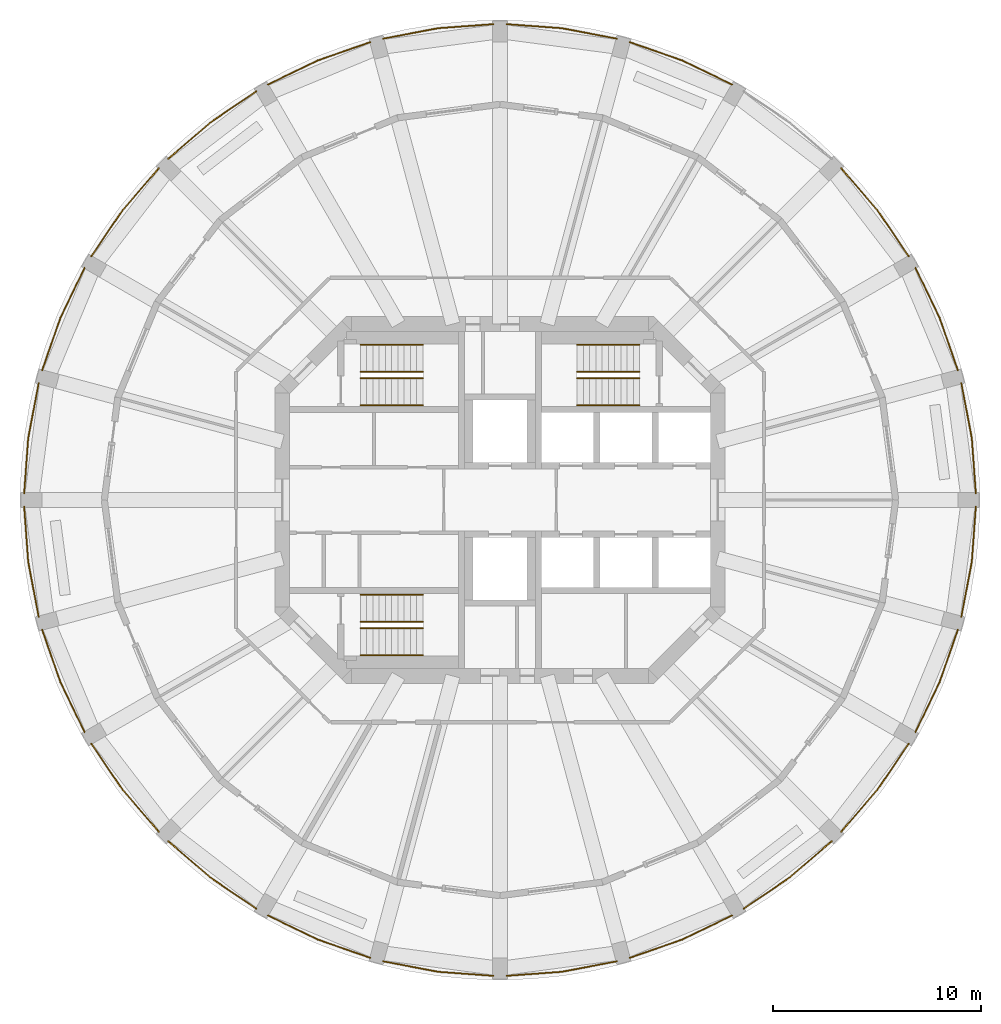
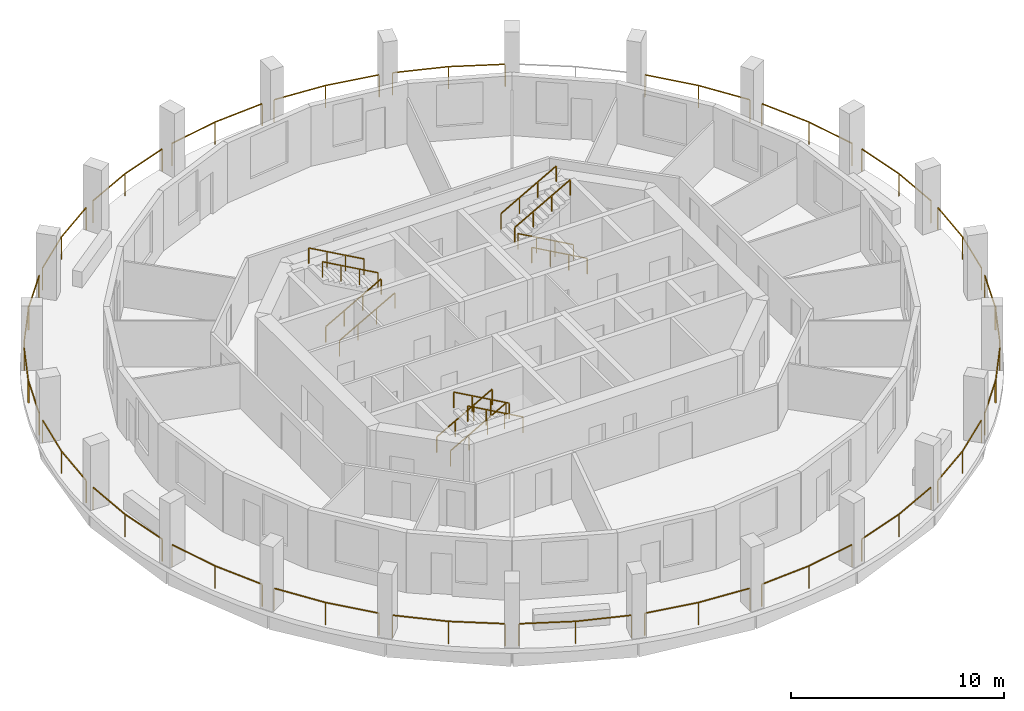
# One storey, part 8 of 9: 35 railings.
"""IFC4 building model written with IfcOpenShell, lengths in metres."""

from ifc_helpers import new_model, si_unit, direction, frame, origin, origin_2d, place, context, subcontext, project, spatial, rectangle, extrude, material, type_object, element, save


model = new_model("IFC4")

# Units and contexts
model_context = context("Model", 3, precision=1e-05, world=origin(), true_north=direction((0.0, 1.0)))
body_context = subcontext(model_context, "Body", "Model", "MODEL_VIEW")
ifc_project = project(units=[si_unit("LENGTHUNIT", "METRE"), si_unit("AREAUNIT", "SQUARE_METRE"), si_unit("VOLUMEUNIT", "CUBIC_METRE"), si_unit("PLANEANGLEUNIT", "RADIAN"), si_unit("MASSUNIT", "GRAM", prefix="KILO")], contexts=[model_context])

# Site, building, storey
site_placement = place(None, origin())
site = spatial("IfcSite", under=ifc_project, at=site_placement, CompositionType="ELEMENT")
building_placement = place(site_placement, origin())
building = spatial("IfcBuilding", under=site, at=building_placement, Name="Torre Triforio", CompositionType="ELEMENT")
storey_placement = place(building_placement, frame((0.0, 0.0, 157.89990234375)))
storey = spatial("IfcBuildingStorey", under=building, at=storey_placement, Name="L35", CompositionType="ELEMENT", Elevation=157.89990234375)

# Railings
ifc_material = material(Name="Stainless steel AISI 316", Category="steel")
railing_type_1 = type_object("IfcRailingType", Name="HANDRAIL 920", PredefinedType="HANDRAIL", material=ifc_material)
for number, where, name in (
    (1, (-6.699951171875, 4.550048828125, 0.168212890625), "Handrail ST1"),
    (2, (-6.699951171875, 5.85009765625, 0.168212890625), "Handrail ST1"),
):
    element("IfcRailing", number, at=place(storey_placement, frame(where)), inside=storey, type_object=railing_type_1, Name=name, PredefinedType="HANDRAIL", context=body_context, shape_type="SweptSolid", body=[
        extrude(rectangle(XDim=0.048095703125, YDim=0.048095703125, at=origin_2d()), frame((0.0, 0.0, 0.89599609375), z_axis=(0.872272294576, 0.0, 0.489020494575), x_axis=(0.0, 1.0, 0.0)), (0.0, 0.0, 1.0), 3.439208984375),
        extrude(rectangle(XDim=0.0419921875, YDim=0.0419921875, at=origin_2d()), origin(), (0.0, 0.0, 1.0), 0.871826171875),
        extrude(rectangle(XDim=0.0419921875, YDim=0.0419921875, at=origin_2d()), frame((1.0, 0.0, 0.560546875)), (0.0, 0.0, 1.0), 0.871826171875),
        extrude(rectangle(XDim=0.0419921875, YDim=0.0419921875, at=origin_2d()), frame((2.0, 0.0, 1.121337890625)), (0.0, 0.0, 1.0), 0.871826171875),
        extrude(rectangle(XDim=0.0419921875, YDim=0.0419921875, at=origin_2d()), frame((3.0, 0.0, 1.681884765625)), (0.0, 0.0, 1.0), 0.871826171875),
    ])
for number, where, name in (
    (3, (-3.699951171875, 7.449951171875, 2.018310546875), "Handrail ST1"),
    (4, (-3.699951171875, 6.14990234375, 2.018310546875), "Handrail ST1"),
    (5, (6.699951171875, 4.550048828125, 0.168212890625), "Handrail ST2"),
    (6, (6.699951171875, 5.85009765625, 0.168212890625), "Handrail ST2"),
):
    element("IfcRailing", number, at=place(storey_placement, frame(where)), inside=storey, type_object=railing_type_1, Name=name, PredefinedType="HANDRAIL", context=body_context, shape_type="SweptSolid", body=[
        extrude(rectangle(XDim=0.048095703125, YDim=0.048095703125, at=origin_2d()), frame((0.0, 0.0, 0.89599609375), z_axis=(-0.872272294576, 0.0, 0.489020494575), x_axis=(0.0, -1.0, 0.0)), (0.0, 0.0, 1.0), 3.439208984375),
        extrude(rectangle(XDim=0.0419921875, YDim=0.0419921875, at=origin_2d()), origin(), (0.0, 0.0, 1.0), 0.871826171875),
        extrude(rectangle(XDim=0.0419921875, YDim=0.0419921875, at=origin_2d()), frame((-1.0, 0.0, 0.560546875)), (0.0, 0.0, 1.0), 0.871826171875),
        extrude(rectangle(XDim=0.0419921875, YDim=0.0419921875, at=origin_2d()), frame((-2.0, 0.0, 1.121337890625)), (0.0, 0.0, 1.0), 0.871826171875),
        extrude(rectangle(XDim=0.0419921875, YDim=0.0419921875, at=origin_2d()), frame((-3.0, 0.0, 1.681884765625)), (0.0, 0.0, 1.0), 0.871826171875),
    ])
for number, where, name in (
    (7, (3.699951171875, 7.449951171875, 2.018310546875), "Handrail ST2"),
    (8, (3.699951171875, 6.14990234375, 2.018310546875), "Handrail ST2"),
    (9, (-6.699951171875, -4.550048828125, 0.168212890625), "Handrail ST3"),
    (10, (-6.699951171875, -5.85009765625, 0.168212890625), "Handrail ST3"),
):
    element("IfcRailing", number, at=place(storey_placement, frame(where)), inside=storey, type_object=railing_type_1, Name=name, PredefinedType="HANDRAIL", context=body_context, shape_type="SweptSolid", body=[
        extrude(rectangle(XDim=0.048095703125, YDim=0.048095703125, at=origin_2d()), frame((0.0, 0.0, 0.89599609375), z_axis=(0.872272294576, 0.0, 0.489020494575), x_axis=(0.0, 1.0, 0.0)), (0.0, 0.0, 1.0), 3.439208984375),
        extrude(rectangle(XDim=0.0419921875, YDim=0.0419921875, at=origin_2d()), origin(), (0.0, 0.0, 1.0), 0.871826171875),
        extrude(rectangle(XDim=0.0419921875, YDim=0.0419921875, at=origin_2d()), frame((1.0, 0.0, 0.560546875)), (0.0, 0.0, 1.0), 0.871826171875),
        extrude(rectangle(XDim=0.0419921875, YDim=0.0419921875, at=origin_2d()), frame((2.0, 0.0, 1.121337890625)), (0.0, 0.0, 1.0), 0.871826171875),
        extrude(rectangle(XDim=0.0419921875, YDim=0.0419921875, at=origin_2d()), frame((3.0, 0.0, 1.681884765625)), (0.0, 0.0, 1.0), 0.871826171875),
    ])
for number, where, name in (
    (11, (-3.699951171875, -7.449951171875, 2.018310546875), "Handrail ST3"),
    (12, (-3.699951171875, -6.14990234375, 2.018310546875), "Handrail ST3"),
):
    element("IfcRailing", number, at=place(storey_placement, frame(where)), inside=storey, type_object=railing_type_1, Name=name, PredefinedType="HANDRAIL", context=body_context, shape_type="SweptSolid", body=[
        extrude(rectangle(XDim=0.048095703125, YDim=0.048095703125, at=origin_2d()), frame((0.0, 0.0, 0.89599609375), z_axis=(-0.872272294576, 0.0, 0.489020494575), x_axis=(0.0, -1.0, 0.0)), (0.0, 0.0, 1.0), 3.439208984375),
        extrude(rectangle(XDim=0.0419921875, YDim=0.0419921875, at=origin_2d()), origin(), (0.0, 0.0, 1.0), 0.871826171875),
        extrude(rectangle(XDim=0.0419921875, YDim=0.0419921875, at=origin_2d()), frame((-1.0, 0.0, 0.560546875)), (0.0, 0.0, 1.0), 0.871826171875),
        extrude(rectangle(XDim=0.0419921875, YDim=0.0419921875, at=origin_2d()), frame((-2.0, 0.0, 1.121337890625)), (0.0, 0.0, 1.0), 0.871826171875),
        extrude(rectangle(XDim=0.0419921875, YDim=0.0419921875, at=origin_2d()), frame((-3.0, 0.0, 1.681884765625)), (0.0, 0.0, 1.0), 0.871826171875),
    ])
railing_type_2 = type_object("IfcRailingType", Name="Loggia guard 1300", PredefinedType="GUARDRAIL", material=ifc_material)
railing_1_placement = place(storey_placement, frame((22.85009765625, 0.320068359375, 0.0)))
element("IfcRailing", 13, at=railing_1_placement, inside=storey, type_object=railing_type_2, Name="Loggia guard L35 bay 01", PredefinedType="GUARDRAIL", context=body_context, shape_type="SweptSolid", body=[
    extrude(rectangle(XDim=0.050048828125, YDim=0.050048828125, at=origin_2d()), frame((0.0, 0.0, 1.27490234375), z_axis=(-0.073255194528, 0.997313228868, 0.0), x_axis=(-0.997313228868, -0.073255194528, 0.0)), (0.0, 0.0, 1.0), 2.66943359375),
    extrude(rectangle(XDim=0.050048828125, YDim=0.050048828125, at=origin_2d()), frame((-0.195556640625, 2.662353515625, 1.27490234375), z_axis=(-0.187368424401, 0.982289709575, 0.0), x_axis=(-0.982289709575, -0.187368424401, 0.0)), (0.0, 0.0, 1.0), 2.669921875),
    extrude(rectangle(XDim=0.0400390625, YDim=0.0400390625, at=origin_2d()), origin(), (0.0, 0.0, 1.0), 1.25),
    extrude(rectangle(XDim=0.0400390625, YDim=0.0400390625, at=origin_2d()), frame((-0.195556640625, 2.662353515625, 0.0)), (0.0, 0.0, 1.0), 1.25),
    extrude(rectangle(XDim=0.0400390625, YDim=0.0400390625, at=origin_2d()), frame((-0.69580078125, 5.284912109375, 0.0)), (0.0, 0.0, 1.0), 1.25),
])
railing_2_placement = place(storey_placement, frame((21.988525390625, 6.22314453125, 0.0)))
element("IfcRailing", 14, at=railing_2_placement, inside=storey, type_object=railing_type_2, Name="Loggia guard L35 bay 02", PredefinedType="GUARDRAIL", context=body_context, shape_type="SweptSolid", body=[
    extrude(rectangle(XDim=0.050048828125, YDim=0.050048828125, at=origin_2d()), frame((0.0, 0.0, 1.27490234375), z_axis=(-0.328846918852, 0.944383239984, 0.0), x_axis=(-0.944383239984, -0.328846918852, 0.0)), (0.0, 0.0, 1.0), 2.669677734375),
    extrude(rectangle(XDim=0.050048828125, YDim=0.050048828125, at=origin_2d()), frame((-0.8779296875, 2.521240234375, 1.27490234375), z_axis=(-0.435211903812, 0.900328050646, 0.0), x_axis=(-0.900328050646, -0.435211903812, 0.0)), (0.0, 0.0, 1.0), 2.669677734375),
    extrude(rectangle(XDim=0.0400390625, YDim=0.0400390625, at=origin_2d()), origin(), (0.0, 0.0, 1.0), 1.25),
    extrude(rectangle(XDim=0.0400390625, YDim=0.0400390625, at=origin_2d()), frame((-0.8779296875, 2.521240234375, 0.0)), (0.0, 0.0, 1.0), 1.25),
    extrude(rectangle(XDim=0.0400390625, YDim=0.0400390625, at=origin_2d()), frame((-2.039794921875, 4.9248046875, 0.0)), (0.0, 0.0, 1.0), 1.25),
])
railing_3_placement = place(storey_placement, frame((19.628662109375, 11.7021484375, 0.0)))
element("IfcRailing", 15, at=railing_3_placement, inside=storey, type_object=railing_type_2, Name="Loggia guard L35 bay 03", PredefinedType="GUARDRAIL", context=body_context, shape_type="SweptSolid", body=[
    extrude(rectangle(XDim=0.050048828125, YDim=0.050048828125, at=origin_2d()), frame((0.0, 0.0, 1.27490234375), z_axis=(-0.562064856935, 0.827093160774, 0.0), x_axis=(-0.827093160774, -0.562064856935, 0.0)), (0.0, 0.0, 1.0), 2.669677734375),
    extrude(rectangle(XDim=0.050048828125, YDim=0.050048828125, at=origin_2d()), frame((-1.50048828125, 2.2080078125, 1.27490234375), z_axis=(-0.653400799038, 0.757012150376, 0.0), x_axis=(-0.757012150376, -0.653400799038, 0.0)), (0.0, 0.0, 1.0), 2.669677734375),
    extrude(rectangle(XDim=0.0400390625, YDim=0.0400390625, at=origin_2d()), origin(), (0.0, 0.0, 1.0), 1.25),
    extrude(rectangle(XDim=0.0400390625, YDim=0.0400390625, at=origin_2d()), frame((-1.50048828125, 2.2080078125, 0.0)), (0.0, 0.0, 1.0), 1.25),
    extrude(rectangle(XDim=0.0400390625, YDim=0.0400390625, at=origin_2d()), frame((-3.244873046875, 4.22900390625, 0.0)), (0.0, 0.0, 1.0), 1.25),
])
railing_4_placement = place(storey_placement, frame((11.14794921875, 19.94873046875, 0.0)))
element("IfcRailing", 16, at=railing_4_placement, inside=storey, type_object=railing_type_2, Name="Loggia guard L35 bay 05", PredefinedType="GUARDRAIL", context=body_context, shape_type="SweptSolid", body=[
    extrude(rectangle(XDim=0.050048828125, YDim=0.050048828125, at=origin_2d()), frame((0.0, 0.0, 1.27490234375), z_axis=(-0.900328050646, 0.435211903812, 0.0), x_axis=(-0.435211903812, -0.900328050646, 0.0)), (0.0, 0.0, 1.0), 2.669677734375),
    extrude(rectangle(XDim=0.050048828125, YDim=0.050048828125, at=origin_2d()), frame((-2.403564453125, 1.161865234375, 1.27490234375), z_axis=(-0.944383239984, 0.328846918852, 0.0), x_axis=(-0.328846918852, -0.944383239984, 0.0)), (0.0, 0.0, 1.0), 2.669677734375),
    extrude(rectangle(XDim=0.0400390625, YDim=0.0400390625, at=origin_2d()), origin(), (0.0, 0.0, 1.0), 1.25),
    extrude(rectangle(XDim=0.0400390625, YDim=0.0400390625, at=origin_2d()), frame((-2.403564453125, 1.161865234375, 0.0)), (0.0, 0.0, 1.0), 1.25),
    extrude(rectangle(XDim=0.0400390625, YDim=0.0400390625, at=origin_2d()), frame((-4.9248046875, 2.039794921875, 0.0)), (0.0, 0.0, 1.0), 1.25),
])
railing_5_placement = place(storey_placement, frame((5.60498046875, 22.154296875, 0.0)))
element("IfcRailing", 17, at=railing_5_placement, inside=storey, type_object=railing_type_2, Name="Loggia guard L35 bay 06", PredefinedType="GUARDRAIL", context=body_context, shape_type="SweptSolid", body=[
    extrude(rectangle(XDim=0.050048828125, YDim=0.050048828125, at=origin_2d()), frame((0.0, 0.0, 1.27490234375), z_axis=(-0.982289709575, 0.187368424401, 0.0), x_axis=(-0.187368424401, -0.982289709575, 0.0)), (0.0, 0.0, 1.0), 2.669921875),
    extrude(rectangle(XDim=0.050048828125, YDim=0.050048828125, at=origin_2d()), frame((-2.62255859375, 0.500244140625, 1.27490234375), z_axis=(-0.997313228868, 0.073255194528, 0.0), x_axis=(-0.073255194528, -0.997313228868, 0.0)), (0.0, 0.0, 1.0), 2.66943359375),
    extrude(rectangle(XDim=0.0400390625, YDim=0.0400390625, at=origin_2d()), origin(), (0.0, 0.0, 1.0), 1.25),
    extrude(rectangle(XDim=0.0400390625, YDim=0.0400390625, at=origin_2d()), frame((-2.62255859375, 0.500244140625, 0.0)), (0.0, 0.0, 1.0), 1.25),
    extrude(rectangle(XDim=0.0400390625, YDim=0.0400390625, at=origin_2d()), frame((-5.284912109375, 0.69580078125, 0.0)), (0.0, 0.0, 1.0), 1.25),
])
railing_6_placement = place(storey_placement, frame((-0.320068359375, 22.85009765625, 0.0)))
element("IfcRailing", 18, at=railing_6_placement, inside=storey, type_object=railing_type_2, Name="Loggia guard L35 bay 07", PredefinedType="GUARDRAIL", context=body_context, shape_type="SweptSolid", body=[
    extrude(rectangle(XDim=0.050048828125, YDim=0.050048828125, at=origin_2d()), frame((0.0, 0.0, 1.27490234375), z_axis=(-0.997313228868, -0.073255194528, 0.0), x_axis=(0.073255194528, -0.997313228868, 0.0)), (0.0, 0.0, 1.0), 2.66943359375),
    extrude(rectangle(XDim=0.050048828125, YDim=0.050048828125, at=origin_2d()), frame((-2.662353515625, -0.195556640625, 1.27490234375), z_axis=(-0.982289709575, -0.187368424401, 0.0), x_axis=(0.187368424401, -0.982289709575, 0.0)), (0.0, 0.0, 1.0), 2.669921875),
    extrude(rectangle(XDim=0.0400390625, YDim=0.0400390625, at=origin_2d()), origin(), (0.0, 0.0, 1.0), 1.25),
    extrude(rectangle(XDim=0.0400390625, YDim=0.0400390625, at=origin_2d()), frame((-2.662353515625, -0.195556640625, 0.0)), (0.0, 0.0, 1.0), 1.25),
    extrude(rectangle(XDim=0.0400390625, YDim=0.0400390625, at=origin_2d()), frame((-5.284912109375, -0.69580078125, 0.0)), (0.0, 0.0, 1.0), 1.25),
])
railing_7_placement = place(storey_placement, frame((-6.22314453125, 21.988525390625, 0.0)))
element("IfcRailing", 19, at=railing_7_placement, inside=storey, type_object=railing_type_2, Name="Loggia guard L35 bay 08", PredefinedType="GUARDRAIL", context=body_context, shape_type="SweptSolid", body=[
    extrude(rectangle(XDim=0.050048828125, YDim=0.050048828125, at=origin_2d()), frame((0.0, 0.0, 1.27490234375), z_axis=(-0.944383239984, -0.328846918852, 0.0), x_axis=(0.328846918852, -0.944383239984, 0.0)), (0.0, 0.0, 1.0), 2.669677734375),
    extrude(rectangle(XDim=0.050048828125, YDim=0.050048828125, at=origin_2d()), frame((-2.521240234375, -0.8779296875, 1.27490234375), z_axis=(-0.900328050646, -0.435211903812, 0.0), x_axis=(0.435211903812, -0.900328050646, 0.0)), (0.0, 0.0, 1.0), 2.669677734375),
    extrude(rectangle(XDim=0.0400390625, YDim=0.0400390625, at=origin_2d()), origin(), (0.0, 0.0, 1.0), 1.25),
    extrude(rectangle(XDim=0.0400390625, YDim=0.0400390625, at=origin_2d()), frame((-2.521240234375, -0.8779296875, 0.0)), (0.0, 0.0, 1.0), 1.25),
    extrude(rectangle(XDim=0.0400390625, YDim=0.0400390625, at=origin_2d()), frame((-4.9248046875, -2.039794921875, 0.0)), (0.0, 0.0, 1.0), 1.25),
])
railing_8_placement = place(storey_placement, frame((-11.7021484375, 19.628662109375, 0.0)))
element("IfcRailing", 20, at=railing_8_placement, inside=storey, type_object=railing_type_2, Name="Loggia guard L35 bay 09", PredefinedType="GUARDRAIL", context=body_context, shape_type="SweptSolid", body=[
    extrude(rectangle(XDim=0.050048828125, YDim=0.050048828125, at=origin_2d()), frame((0.0, 0.0, 1.27490234375), z_axis=(-0.827093160774, -0.562064856935, 0.0), x_axis=(0.562064856935, -0.827093160774, 0.0)), (0.0, 0.0, 1.0), 2.669677734375),
    extrude(rectangle(XDim=0.050048828125, YDim=0.050048828125, at=origin_2d()), frame((-2.2080078125, -1.50048828125, 1.27490234375), z_axis=(-0.757012150376, -0.653400799038, 0.0), x_axis=(0.653400799038, -0.757012150376, 0.0)), (0.0, 0.0, 1.0), 2.669677734375),
    extrude(rectangle(XDim=0.0400390625, YDim=0.0400390625, at=origin_2d()), origin(), (0.0, 0.0, 1.0), 1.25),
    extrude(rectangle(XDim=0.0400390625, YDim=0.0400390625, at=origin_2d()), frame((-2.2080078125, -1.50048828125, 0.0)), (0.0, 0.0, 1.0), 1.25),
    extrude(rectangle(XDim=0.0400390625, YDim=0.0400390625, at=origin_2d()), frame((-4.22900390625, -3.244873046875, 0.0)), (0.0, 0.0, 1.0), 1.25),
])
railing_9_placement = place(storey_placement, frame((-16.3837890625, 15.93115234375, 0.0)))
element("IfcRailing", 21, at=railing_9_placement, inside=storey, type_object=railing_type_2, Name="Loggia guard L35 bay 10", PredefinedType="GUARDRAIL", context=body_context, shape_type="SweptSolid", body=[
    extrude(rectangle(XDim=0.050048828125, YDim=0.050048828125, at=origin_2d()), frame((0.0, 0.0, 1.27490234375), z_axis=(-0.653400799038, -0.757012150376, 0.0), x_axis=(0.757012150376, -0.653400799038, 0.0)), (0.0, 0.0, 1.0), 2.669677734375),
    extrude(rectangle(XDim=0.050048828125, YDim=0.050048828125, at=origin_2d()), frame((-1.744384765625, -2.02099609375, 1.27490234375), z_axis=(-0.562064856935, -0.827093160774, 0.0), x_axis=(0.827093160774, -0.562064856935, 0.0)), (0.0, 0.0, 1.0), 2.669677734375),
    extrude(rectangle(XDim=0.0400390625, YDim=0.0400390625, at=origin_2d()), origin(), (0.0, 0.0, 1.0), 1.25),
    extrude(rectangle(XDim=0.0400390625, YDim=0.0400390625, at=origin_2d()), frame((-1.744384765625, -2.02099609375, 0.0)), (0.0, 0.0, 1.0), 1.25),
    extrude(rectangle(XDim=0.0400390625, YDim=0.0400390625, at=origin_2d()), frame((-3.244873046875, -4.22900390625, 0.0)), (0.0, 0.0, 1.0), 1.25),
])
railing_10_placement = place(storey_placement, frame((-19.94873046875, 11.14794921875, 0.0)))
element("IfcRailing", 22, at=railing_10_placement, inside=storey, type_object=railing_type_2, Name="Loggia guard L35 bay 11", PredefinedType="GUARDRAIL", context=body_context, shape_type="SweptSolid", body=[
    extrude(rectangle(XDim=0.050048828125, YDim=0.050048828125, at=origin_2d()), frame((0.0, 0.0, 1.27490234375), z_axis=(-0.435211903812, -0.900328050646, 0.0), x_axis=(0.900328050646, -0.435211903812, 0.0)), (0.0, 0.0, 1.0), 2.669677734375),
    extrude(rectangle(XDim=0.050048828125, YDim=0.050048828125, at=origin_2d()), frame((-1.161865234375, -2.403564453125, 1.27490234375), z_axis=(-0.328846918852, -0.944383239984, 0.0), x_axis=(0.944383239984, -0.328846918852, 0.0)), (0.0, 0.0, 1.0), 2.669677734375),
    extrude(rectangle(XDim=0.0400390625, YDim=0.0400390625, at=origin_2d()), origin(), (0.0, 0.0, 1.0), 1.25),
    extrude(rectangle(XDim=0.0400390625, YDim=0.0400390625, at=origin_2d()), frame((-1.161865234375, -2.403564453125, 0.0)), (0.0, 0.0, 1.0), 1.25),
    extrude(rectangle(XDim=0.0400390625, YDim=0.0400390625, at=origin_2d()), frame((-2.039794921875, -4.9248046875, 0.0)), (0.0, 0.0, 1.0), 1.25),
])
railing_11_placement = place(storey_placement, frame((-22.154296875, 5.60498046875, 0.0)))
element("IfcRailing", 23, at=railing_11_placement, inside=storey, type_object=railing_type_2, Name="Loggia guard L35 bay 12", PredefinedType="GUARDRAIL", context=body_context, shape_type="SweptSolid", body=[
    extrude(rectangle(XDim=0.050048828125, YDim=0.050048828125, at=origin_2d()), frame((0.0, 0.0, 1.27490234375), z_axis=(-0.187368424401, -0.982289709575, 0.0), x_axis=(0.982289709575, -0.187368424401, 0.0)), (0.0, 0.0, 1.0), 2.669921875),
    extrude(rectangle(XDim=0.050048828125, YDim=0.050048828125, at=origin_2d()), frame((-0.500244140625, -2.62255859375, 1.27490234375), z_axis=(-0.073255194528, -0.997313228868, 0.0), x_axis=(0.997313228868, -0.073255194528, 0.0)), (0.0, 0.0, 1.0), 2.66943359375),
    extrude(rectangle(XDim=0.0400390625, YDim=0.0400390625, at=origin_2d()), origin(), (0.0, 0.0, 1.0), 1.25),
    extrude(rectangle(XDim=0.0400390625, YDim=0.0400390625, at=origin_2d()), frame((-0.500244140625, -2.62255859375, 0.0)), (0.0, 0.0, 1.0), 1.25),
    extrude(rectangle(XDim=0.0400390625, YDim=0.0400390625, at=origin_2d()), frame((-0.69580078125, -5.284912109375, 0.0)), (0.0, 0.0, 1.0), 1.25),
])
railing_12_placement = place(storey_placement, frame((-22.85009765625, -0.320068359375, 0.0)))
element("IfcRailing", 24, at=railing_12_placement, inside=storey, type_object=railing_type_2, Name="Loggia guard L35 bay 13", PredefinedType="GUARDRAIL", context=body_context, shape_type="SweptSolid", body=[
    extrude(rectangle(XDim=0.050048828125, YDim=0.050048828125, at=origin_2d()), frame((0.0, 0.0, 1.27490234375), z_axis=(0.073255194528, -0.997313228868, 0.0), x_axis=(0.997313228868, 0.073255194528, 0.0)), (0.0, 0.0, 1.0), 2.66943359375),
    extrude(rectangle(XDim=0.050048828125, YDim=0.050048828125, at=origin_2d()), frame((0.195556640625, -2.662353515625, 1.27490234375), z_axis=(0.187368424401, -0.982289709575, 0.0), x_axis=(0.982289709575, 0.187368424401, 0.0)), (0.0, 0.0, 1.0), 2.669921875),
    extrude(rectangle(XDim=0.0400390625, YDim=0.0400390625, at=origin_2d()), origin(), (0.0, 0.0, 1.0), 1.25),
    extrude(rectangle(XDim=0.0400390625, YDim=0.0400390625, at=origin_2d()), frame((0.195556640625, -2.662353515625, 0.0)), (0.0, 0.0, 1.0), 1.25),
    extrude(rectangle(XDim=0.0400390625, YDim=0.0400390625, at=origin_2d()), frame((0.69580078125, -5.284912109375, 0.0)), (0.0, 0.0, 1.0), 1.25),
])
railing_13_placement = place(storey_placement, frame((-21.988525390625, -6.22314453125, 0.0)))
element("IfcRailing", 25, at=railing_13_placement, inside=storey, type_object=railing_type_2, Name="Loggia guard L35 bay 14", PredefinedType="GUARDRAIL", context=body_context, shape_type="SweptSolid", body=[
    extrude(rectangle(XDim=0.050048828125, YDim=0.050048828125, at=origin_2d()), frame((0.0, 0.0, 1.27490234375), z_axis=(0.328846918852, -0.944383239984, 0.0), x_axis=(0.944383239984, 0.328846918852, 0.0)), (0.0, 0.0, 1.0), 2.669677734375),
    extrude(rectangle(XDim=0.050048828125, YDim=0.050048828125, at=origin_2d()), frame((0.8779296875, -2.521240234375, 1.27490234375), z_axis=(0.435211903812, -0.900328050646, 0.0), x_axis=(0.900328050646, 0.435211903812, 0.0)), (0.0, 0.0, 1.0), 2.669677734375),
    extrude(rectangle(XDim=0.0400390625, YDim=0.0400390625, at=origin_2d()), origin(), (0.0, 0.0, 1.0), 1.25),
    extrude(rectangle(XDim=0.0400390625, YDim=0.0400390625, at=origin_2d()), frame((0.8779296875, -2.521240234375, 0.0)), (0.0, 0.0, 1.0), 1.25),
    extrude(rectangle(XDim=0.0400390625, YDim=0.0400390625, at=origin_2d()), frame((2.039794921875, -4.9248046875, 0.0)), (0.0, 0.0, 1.0), 1.25),
])
railing_14_placement = place(storey_placement, frame((-19.628662109375, -11.7021484375, 0.0)))
element("IfcRailing", 26, at=railing_14_placement, inside=storey, type_object=railing_type_2, Name="Loggia guard L35 bay 15", PredefinedType="GUARDRAIL", context=body_context, shape_type="SweptSolid", body=[
    extrude(rectangle(XDim=0.050048828125, YDim=0.050048828125, at=origin_2d()), frame((0.0, 0.0, 1.27490234375), z_axis=(0.562064856935, -0.827093160774, 0.0), x_axis=(0.827093160774, 0.562064856935, 0.0)), (0.0, 0.0, 1.0), 2.669677734375),
    extrude(rectangle(XDim=0.050048828125, YDim=0.050048828125, at=origin_2d()), frame((1.50048828125, -2.2080078125, 1.27490234375), z_axis=(0.653400799038, -0.757012150376, 0.0), x_axis=(0.757012150376, 0.653400799038, 0.0)), (0.0, 0.0, 1.0), 2.669677734375),
    extrude(rectangle(XDim=0.0400390625, YDim=0.0400390625, at=origin_2d()), origin(), (0.0, 0.0, 1.0), 1.25),
    extrude(rectangle(XDim=0.0400390625, YDim=0.0400390625, at=origin_2d()), frame((1.50048828125, -2.2080078125, 0.0)), (0.0, 0.0, 1.0), 1.25),
    extrude(rectangle(XDim=0.0400390625, YDim=0.0400390625, at=origin_2d()), frame((3.244873046875, -4.22900390625, 0.0)), (0.0, 0.0, 1.0), 1.25),
])
railing_15_placement = place(storey_placement, frame((-15.93115234375, -16.3837890625, 0.0)))
element("IfcRailing", 27, at=railing_15_placement, inside=storey, type_object=railing_type_2, Name="Loggia guard L35 bay 16", PredefinedType="GUARDRAIL", context=body_context, shape_type="SweptSolid", body=[
    extrude(rectangle(XDim=0.050048828125, YDim=0.050048828125, at=origin_2d()), frame((0.0, 0.0, 1.27490234375), z_axis=(0.757012150376, -0.653400799038, 0.0), x_axis=(0.653400799038, 0.757012150376, 0.0)), (0.0, 0.0, 1.0), 2.669677734375),
    extrude(rectangle(XDim=0.050048828125, YDim=0.050048828125, at=origin_2d()), frame((2.02099609375, -1.744384765625, 1.27490234375), z_axis=(0.827093160774, -0.562064856935, 0.0), x_axis=(0.562064856935, 0.827093160774, 0.0)), (0.0, 0.0, 1.0), 2.669677734375),
    extrude(rectangle(XDim=0.0400390625, YDim=0.0400390625, at=origin_2d()), origin(), (0.0, 0.0, 1.0), 1.25),
    extrude(rectangle(XDim=0.0400390625, YDim=0.0400390625, at=origin_2d()), frame((2.02099609375, -1.744384765625, 0.0)), (0.0, 0.0, 1.0), 1.25),
    extrude(rectangle(XDim=0.0400390625, YDim=0.0400390625, at=origin_2d()), frame((4.22900390625, -3.244873046875, 0.0)), (0.0, 0.0, 1.0), 1.25),
])
railing_16_placement = place(storey_placement, frame((-11.14794921875, -19.94873046875, 0.0)))
element("IfcRailing", 28, at=railing_16_placement, inside=storey, type_object=railing_type_2, Name="Loggia guard L35 bay 17", PredefinedType="GUARDRAIL", context=body_context, shape_type="SweptSolid", body=[
    extrude(rectangle(XDim=0.050048828125, YDim=0.050048828125, at=origin_2d()), frame((0.0, 0.0, 1.27490234375), z_axis=(0.900328050646, -0.435211903812, 0.0), x_axis=(0.435211903812, 0.900328050646, 0.0)), (0.0, 0.0, 1.0), 2.669677734375),
    extrude(rectangle(XDim=0.050048828125, YDim=0.050048828125, at=origin_2d()), frame((2.403564453125, -1.161865234375, 1.27490234375), z_axis=(0.944383239984, -0.328846918852, 0.0), x_axis=(0.328846918852, 0.944383239984, 0.0)), (0.0, 0.0, 1.0), 2.669677734375),
    extrude(rectangle(XDim=0.0400390625, YDim=0.0400390625, at=origin_2d()), origin(), (0.0, 0.0, 1.0), 1.25),
    extrude(rectangle(XDim=0.0400390625, YDim=0.0400390625, at=origin_2d()), frame((2.403564453125, -1.161865234375, 0.0)), (0.0, 0.0, 1.0), 1.25),
    extrude(rectangle(XDim=0.0400390625, YDim=0.0400390625, at=origin_2d()), frame((4.9248046875, -2.039794921875, 0.0)), (0.0, 0.0, 1.0), 1.25),
])
railing_17_placement = place(storey_placement, frame((-5.60498046875, -22.154296875, 0.0)))
element("IfcRailing", 29, at=railing_17_placement, inside=storey, type_object=railing_type_2, Name="Loggia guard L35 bay 18", PredefinedType="GUARDRAIL", context=body_context, shape_type="SweptSolid", body=[
    extrude(rectangle(XDim=0.050048828125, YDim=0.050048828125, at=origin_2d()), frame((0.0, 0.0, 1.27490234375), z_axis=(0.982289709575, -0.187368424401, 0.0), x_axis=(0.187368424401, 0.982289709575, 0.0)), (0.0, 0.0, 1.0), 2.669921875),
    extrude(rectangle(XDim=0.050048828125, YDim=0.050048828125, at=origin_2d()), frame((2.62255859375, -0.500244140625, 1.27490234375), z_axis=(0.997313228868, -0.073255194528, 0.0), x_axis=(0.073255194528, 0.997313228868, 0.0)), (0.0, 0.0, 1.0), 2.66943359375),
    extrude(rectangle(XDim=0.0400390625, YDim=0.0400390625, at=origin_2d()), origin(), (0.0, 0.0, 1.0), 1.25),
    extrude(rectangle(XDim=0.0400390625, YDim=0.0400390625, at=origin_2d()), frame((2.62255859375, -0.500244140625, 0.0)), (0.0, 0.0, 1.0), 1.25),
    extrude(rectangle(XDim=0.0400390625, YDim=0.0400390625, at=origin_2d()), frame((5.284912109375, -0.69580078125, 0.0)), (0.0, 0.0, 1.0), 1.25),
])
railing_18_placement = place(storey_placement, frame((0.320068359375, -22.85009765625, 0.0)))
element("IfcRailing", 30, at=railing_18_placement, inside=storey, type_object=railing_type_2, Name="Loggia guard L35 bay 19", PredefinedType="GUARDRAIL", context=body_context, shape_type="SweptSolid", body=[
    extrude(rectangle(XDim=0.050048828125, YDim=0.050048828125, at=origin_2d()), frame((0.0, 0.0, 1.27490234375), z_axis=(0.997313228868, 0.073255194528, 0.0), x_axis=(-0.073255194528, 0.997313228868, 0.0)), (0.0, 0.0, 1.0), 2.66943359375),
    extrude(rectangle(XDim=0.050048828125, YDim=0.050048828125, at=origin_2d()), frame((2.662353515625, 0.195556640625, 1.27490234375), z_axis=(0.982289709575, 0.187368424401, 0.0), x_axis=(-0.187368424401, 0.982289709575, 0.0)), (0.0, 0.0, 1.0), 2.669921875),
    extrude(rectangle(XDim=0.0400390625, YDim=0.0400390625, at=origin_2d()), origin(), (0.0, 0.0, 1.0), 1.25),
    extrude(rectangle(XDim=0.0400390625, YDim=0.0400390625, at=origin_2d()), frame((2.662353515625, 0.195556640625, 0.0)), (0.0, 0.0, 1.0), 1.25),
    extrude(rectangle(XDim=0.0400390625, YDim=0.0400390625, at=origin_2d()), frame((5.284912109375, 0.69580078125, 0.0)), (0.0, 0.0, 1.0), 1.25),
])
railing_19_placement = place(storey_placement, frame((6.22314453125, -21.988525390625, 0.0)))
element("IfcRailing", 31, at=railing_19_placement, inside=storey, type_object=railing_type_2, Name="Loggia guard L35 bay 20", PredefinedType="GUARDRAIL", context=body_context, shape_type="SweptSolid", body=[
    extrude(rectangle(XDim=0.050048828125, YDim=0.050048828125, at=origin_2d()), frame((0.0, 0.0, 1.27490234375), z_axis=(0.944383239984, 0.328846918852, 0.0), x_axis=(-0.328846918852, 0.944383239984, 0.0)), (0.0, 0.0, 1.0), 2.669677734375),
    extrude(rectangle(XDim=0.050048828125, YDim=0.050048828125, at=origin_2d()), frame((2.521240234375, 0.8779296875, 1.27490234375), z_axis=(0.900328050646, 0.435211903812, 0.0), x_axis=(-0.435211903812, 0.900328050646, 0.0)), (0.0, 0.0, 1.0), 2.669677734375),
    extrude(rectangle(XDim=0.0400390625, YDim=0.0400390625, at=origin_2d()), origin(), (0.0, 0.0, 1.0), 1.25),
    extrude(rectangle(XDim=0.0400390625, YDim=0.0400390625, at=origin_2d()), frame((2.521240234375, 0.8779296875, 0.0)), (0.0, 0.0, 1.0), 1.25),
    extrude(rectangle(XDim=0.0400390625, YDim=0.0400390625, at=origin_2d()), frame((4.9248046875, 2.039794921875, 0.0)), (0.0, 0.0, 1.0), 1.25),
])
railing_20_placement = place(storey_placement, frame((11.7021484375, -19.628662109375, 0.0)))
element("IfcRailing", 32, at=railing_20_placement, inside=storey, type_object=railing_type_2, Name="Loggia guard L35 bay 21", PredefinedType="GUARDRAIL", context=body_context, shape_type="SweptSolid", body=[
    extrude(rectangle(XDim=0.050048828125, YDim=0.050048828125, at=origin_2d()), frame((0.0, 0.0, 1.27490234375), z_axis=(0.827093160774, 0.562064856935, 0.0), x_axis=(-0.562064856935, 0.827093160774, 0.0)), (0.0, 0.0, 1.0), 2.669677734375),
    extrude(rectangle(XDim=0.050048828125, YDim=0.050048828125, at=origin_2d()), frame((2.2080078125, 1.50048828125, 1.27490234375), z_axis=(0.757012150376, 0.653400799038, 0.0), x_axis=(-0.653400799038, 0.757012150376, 0.0)), (0.0, 0.0, 1.0), 2.669677734375),
    extrude(rectangle(XDim=0.0400390625, YDim=0.0400390625, at=origin_2d()), origin(), (0.0, 0.0, 1.0), 1.25),
    extrude(rectangle(XDim=0.0400390625, YDim=0.0400390625, at=origin_2d()), frame((2.2080078125, 1.50048828125, 0.0)), (0.0, 0.0, 1.0), 1.25),
    extrude(rectangle(XDim=0.0400390625, YDim=0.0400390625, at=origin_2d()), frame((4.22900390625, 3.244873046875, 0.0)), (0.0, 0.0, 1.0), 1.25),
])
railing_21_placement = place(storey_placement, frame((16.3837890625, -15.93115234375, 0.0)))
element("IfcRailing", 33, at=railing_21_placement, inside=storey, type_object=railing_type_2, Name="Loggia guard L35 bay 22", PredefinedType="GUARDRAIL", context=body_context, shape_type="SweptSolid", body=[
    extrude(rectangle(XDim=0.050048828125, YDim=0.050048828125, at=origin_2d()), frame((0.0, 0.0, 1.27490234375), z_axis=(0.653400799038, 0.757012150376, 0.0), x_axis=(-0.757012150376, 0.653400799038, 0.0)), (0.0, 0.0, 1.0), 2.669677734375),
    extrude(rectangle(XDim=0.050048828125, YDim=0.050048828125, at=origin_2d()), frame((1.744384765625, 2.02099609375, 1.27490234375), z_axis=(0.562064856935, 0.827093160774, 0.0), x_axis=(-0.827093160774, 0.562064856935, 0.0)), (0.0, 0.0, 1.0), 2.669677734375),
    extrude(rectangle(XDim=0.0400390625, YDim=0.0400390625, at=origin_2d()), origin(), (0.0, 0.0, 1.0), 1.25),
    extrude(rectangle(XDim=0.0400390625, YDim=0.0400390625, at=origin_2d()), frame((1.744384765625, 2.02099609375, 0.0)), (0.0, 0.0, 1.0), 1.25),
    extrude(rectangle(XDim=0.0400390625, YDim=0.0400390625, at=origin_2d()), frame((3.244873046875, 4.22900390625, 0.0)), (0.0, 0.0, 1.0), 1.25),
])
railing_22_placement = place(storey_placement, frame((19.94873046875, -11.14794921875, 0.0)))
element("IfcRailing", 34, at=railing_22_placement, inside=storey, type_object=railing_type_2, Name="Loggia guard L35 bay 23", PredefinedType="GUARDRAIL", context=body_context, shape_type="SweptSolid", body=[
    extrude(rectangle(XDim=0.050048828125, YDim=0.050048828125, at=origin_2d()), frame((0.0, 0.0, 1.27490234375), z_axis=(0.435211903812, 0.900328050646, 0.0), x_axis=(-0.900328050646, 0.435211903812, 0.0)), (0.0, 0.0, 1.0), 2.669677734375),
    extrude(rectangle(XDim=0.050048828125, YDim=0.050048828125, at=origin_2d()), frame((1.161865234375, 2.403564453125, 1.27490234375), z_axis=(0.328846918852, 0.944383239984, 0.0), x_axis=(-0.944383239984, 0.328846918852, 0.0)), (0.0, 0.0, 1.0), 2.669677734375),
    extrude(rectangle(XDim=0.0400390625, YDim=0.0400390625, at=origin_2d()), origin(), (0.0, 0.0, 1.0), 1.25),
    extrude(rectangle(XDim=0.0400390625, YDim=0.0400390625, at=origin_2d()), frame((1.161865234375, 2.403564453125, 0.0)), (0.0, 0.0, 1.0), 1.25),
    extrude(rectangle(XDim=0.0400390625, YDim=0.0400390625, at=origin_2d()), frame((2.039794921875, 4.9248046875, 0.0)), (0.0, 0.0, 1.0), 1.25),
])
railing_23_placement = place(storey_placement, frame((22.154296875, -5.60498046875, 0.0)))
element("IfcRailing", 35, at=railing_23_placement, inside=storey, type_object=railing_type_2, Name="Loggia guard L35 bay 24", PredefinedType="GUARDRAIL", context=body_context, shape_type="SweptSolid", body=[
    extrude(rectangle(XDim=0.050048828125, YDim=0.050048828125, at=origin_2d()), frame((0.0, 0.0, 1.27490234375), z_axis=(0.187368424401, 0.982289709575, 0.0), x_axis=(-0.982289709575, 0.187368424401, 0.0)), (0.0, 0.0, 1.0), 2.669921875),
    extrude(rectangle(XDim=0.050048828125, YDim=0.050048828125, at=origin_2d()), frame((0.500244140625, 2.62255859375, 1.27490234375), z_axis=(0.073255194528, 0.997313228868, 0.0), x_axis=(-0.997313228868, 0.073255194528, 0.0)), (0.0, 0.0, 1.0), 2.66943359375),
    extrude(rectangle(XDim=0.0400390625, YDim=0.0400390625, at=origin_2d()), origin(), (0.0, 0.0, 1.0), 1.25),
    extrude(rectangle(XDim=0.0400390625, YDim=0.0400390625, at=origin_2d()), frame((0.500244140625, 2.62255859375, 0.0)), (0.0, 0.0, 1.0), 1.25),
    extrude(rectangle(XDim=0.0400390625, YDim=0.0400390625, at=origin_2d()), frame((0.69580078125, 5.284912109375, 0.0)), (0.0, 0.0, 1.0), 1.25),
])

save(model, "model.ifc")
